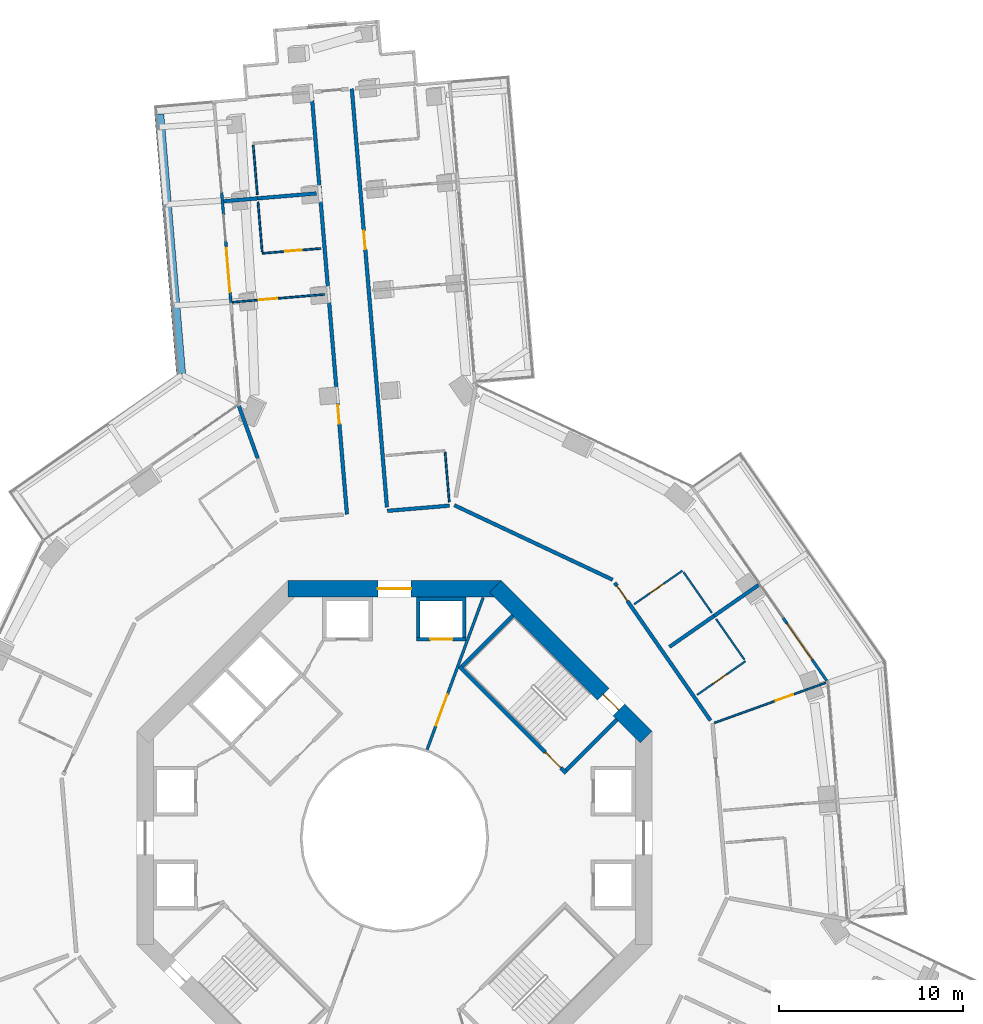
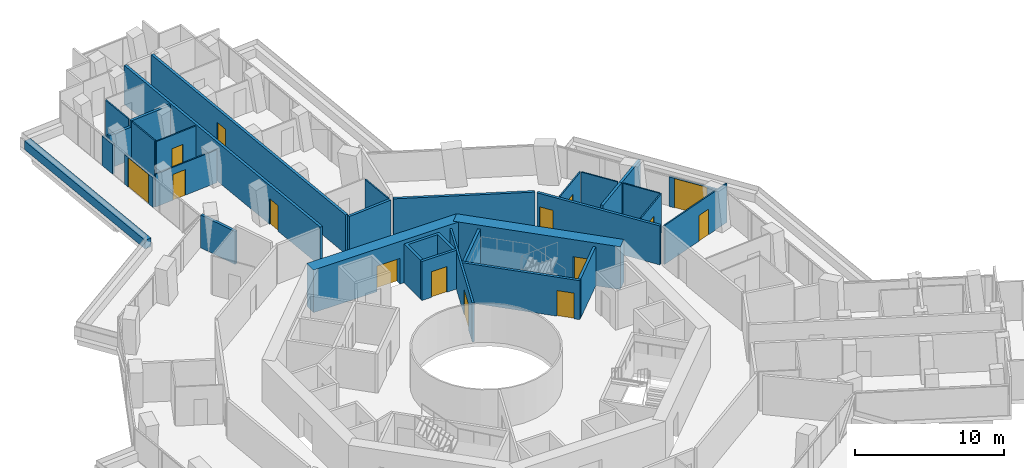
# One storey, part 22 of 26: 32 walls, 15 doors, 15 openings.
"""IFC4 building model written with IfcOpenShell, lengths in metres."""

from ifc_helpers import new_model, si_unit, direction, frame, frame_2d, origin, place, context, subcontext, project, spatial, polyline, rectangle, outline, extrude, material, layer, layer_set, type_object, element, fill, save


model = new_model("IFC4")

# Units and contexts
model_context = context("Model", 3, precision=1e-05, world=origin(), true_north=direction((0.0, 1.0)))
body_context = subcontext(model_context, "Body", "Model", "MODEL_VIEW")
ifc_project = project(units=[si_unit("LENGTHUNIT", "METRE"), si_unit("AREAUNIT", "SQUARE_METRE"), si_unit("VOLUMEUNIT", "CUBIC_METRE"), si_unit("PLANEANGLEUNIT", "RADIAN"), si_unit("MASSUNIT", "GRAM", prefix="KILO")], contexts=[model_context])

# Site, building, storey
site_placement = place(None, origin())
site = spatial("IfcSite", under=ifc_project, at=site_placement, CompositionType="ELEMENT")
building_placement = place(site_placement, origin())
building = spatial("IfcBuilding", under=site, at=building_placement, Name="Verdalira Terraces Hotel", CompositionType="ELEMENT")
storey_placement = place(building_placement, frame((0.0, 0.0, 53.0)))
storey = spatial("IfcBuildingStorey", under=building, at=storey_placement, Name="L11", CompositionType="ELEMENT", Elevation=53.0)

# Walls
ifc_material_1 = material(Name="Concrete C40", Category="concrete")
ifc_layer_1 = layer(ifc_material_1, 0.5)
ifc_layer_set_1 = layer_set([ifc_layer_1], Name="Balcony planter trough with tree")
wall_type_1 = type_object("IfcWallType", Name="Balcony planter trough with tree", PredefinedType="SOLIDWALL", material=ifc_layer_set_1)
wall_1_placement = place(storey_placement, frame((-12.78833, 39.358887, 0.0), z_axis=(0.0, 0.0, 1.0), x_axis=(0.083680733, -0.996492617, 0.0)))
element("IfcWall", 1, at=wall_1_placement, inside=storey, type_object=wall_type_1, Name="Balcony planter", PredefinedType="SOLIDWALL", context=body_context, shape_type="SweptSolid", body=[
    extrude(rectangle(XDim=14.185059, YDim=0.5, at=frame_2d((7.092529, 0.0))), origin(), (0.0, 0.0, 1.0), 0.699951),
])
ifc_material_2 = material(Name="Moisture-resistant gypsum board partition")
ifc_layer_2 = layer(ifc_material_2, 0.10009765625)
ifc_layer_set_2 = layer_set([ifc_layer_2], Name="Bathroom partition 100 mm")
wall_type_2 = type_object("IfcWallType", Name="Bathroom partition 100 mm", PredefinedType="PARTITIONING", material=ifc_layer_set_2)
for number, where, z_axis, x_axis, name in (
    (2, (-7.678955, 37.669678, 0.0), (0.0, 0.0, 1.0), (0.083636612, -0.996496321, 0.0), "Bathroom partition"),
    (3, (-7.419678, 34.580566, 0.0), (0.0, 0.0, 1.0), (0.083726396, -0.996488781, 0.0), "Bathroom partition"),
):
    element("IfcWall", number, at=place(storey_placement, frame(where, z_axis=z_axis, x_axis=x_axis)), inside=storey, type_object=wall_type_2, Name=name, PredefinedType="PARTITIONING", context=body_context, shape_type="SweptSolid", body=[
        extrude(rectangle(XDim=2.700195, YDim=0.100098, at=frame_2d((1.350098, 0.0))), origin(), (0.0, 0.0, 1.0), 3.189941),
    ])

# Wall, opening, door
wall_2_placement = place(storey_placement, frame((-7.185303, 31.790283, 0.0), z_axis=(0.0, 0.0, 1.0), x_axis=(0.99649135, 0.083695813, 0.0)))
wall_2 = element("IfcWall", 4, at=wall_2_placement, inside=storey, type_object=wall_type_2, Name="Bathroom partition", PredefinedType="PARTITIONING", context=body_context, shape_type="SweptSolid", body=[
    extrude(rectangle(XDim=3.199951, YDim=0.100098, at=frame_2d((1.600098, 0.0))), origin(), (0.0, 0.0, 1.0), 3.189941),
])
opening_1_placement = place(wall_2_placement, frame((1.25, 0.0, 0.0)))
opening_1 = element("IfcOpeningElement", 5, at=opening_1_placement, cuts=wall_2, Name="Opening L11-111", PredefinedType="OPENING", context=body_context, shape_type="SweptSolid", body=[
    extrude(rectangle(XDim=0.899902, YDim=2.100098, at=frame_2d((0.449951, 1.050049))), frame((0.0, 0.060059, 0.0), z_axis=(0.0, -1.0, 0.0), x_axis=(1.0, 0.0, 0.0)), (0.0, 0.0, 1.0), 0.120117),
])
ifc_material_3 = material(Name="Timber door", Category="wood")
door_type_1 = type_object("IfcDoorType", Name="Bathroom door 900 x 2100", OperationType="NOTDEFINED", PredefinedType="DOOR", material=ifc_material_3)
door_1_placement = place(opening_1_placement, origin())
door_1 = element("IfcDoor", 6, at=door_1_placement, inside=storey, type_object=door_type_1, Name="Bathroom door 1103", OperationType="SINGLE_SWING_LEFT", OverallHeight=2.10009765625, OverallWidth=0.89990234375, PredefinedType="DOOR", context=body_context, shape_type="SweptSolid", body=[
    extrude(rectangle(XDim=0.899902, YDim=2.100098, at=frame_2d((0.449951, 1.050049))), frame((0.0, 0.024902, 0.0), z_axis=(0.0, -1.0, 0.0), x_axis=(1.0, 0.0, 0.0)), (0.0, 0.0, 1.0), 0.050049),
])
fill(opening_1, door_1)

# Wall
wall_3_placement = place(storey_placement, frame((2.981445, 18.271973, 0.0), z_axis=(0.0, 0.0, 1.0), x_axis=(-0.083644148, 0.996495688, 0.0)))
element("IfcWall", 7, at=wall_3_placement, inside=storey, type_object=wall_type_2, Name="Bathroom partition", PredefinedType="PARTITIONING", context=body_context, shape_type="SweptSolid", body=[
    extrude(rectangle(XDim=2.699951, YDim=0.100098, at=frame_2d((1.350098, 0.0))), origin(), (0.0, 0.0, 1.0), 3.189941),
])

# Wall, opening, door
wall_4_placement = place(storey_placement, frame((15.662109, 14.538818, 0.0), z_axis=(0.0, 0.0, 1.0), x_axis=(-0.821155462, -0.570704572, 0.0)))
wall_4 = element("IfcWall", 8, at=wall_4_placement, inside=storey, type_object=wall_type_2, Name="Bathroom partition", PredefinedType="PARTITIONING", context=body_context, shape_type="SweptSolid", body=[
    extrude(rectangle(XDim=3.200195, YDim=0.100098, at=frame_2d((1.600098, 0.0))), origin(), (0.0, 0.0, 1.0), 3.189941),
])
opening_2_placement = place(wall_4_placement, frame((1.25, 0.0, 0.0)))
opening_2 = element("IfcOpeningElement", 9, at=opening_2_placement, cuts=wall_4, Name="Opening L11-138", PredefinedType="OPENING", context=body_context, shape_type="SweptSolid", body=[
    extrude(rectangle(XDim=0.899902, YDim=2.100098, at=frame_2d((0.449951, 1.050049))), frame((0.0, 0.060059, 0.0), z_axis=(0.0, -1.0, 0.0), x_axis=(1.0, 0.0, 0.0)), (0.0, 0.0, 1.0), 0.120117),
])
door_2_placement = place(opening_2_placement, origin())
door_2 = element("IfcDoor", 10, at=door_2_placement, inside=storey, type_object=door_type_1, Name="Bathroom door 1115", OperationType="SINGLE_SWING_LEFT", OverallHeight=2.10009765625, OverallWidth=0.89990234375, PredefinedType="DOOR", context=body_context, shape_type="SweptSolid", body=[
    extrude(rectangle(XDim=0.899902, YDim=2.100098, at=frame_2d((0.449951, 1.050049))), frame((0.0, 0.024902, 0.0), z_axis=(0.0, -1.0, 0.0), x_axis=(1.0, 0.0, 0.0)), (0.0, 0.0, 1.0), 0.050049),
])
fill(opening_2, door_2)

# Wall
wall_5_placement = place(storey_placement, frame((15.718994, 14.456787, 0.0), z_axis=(0.0, 0.0, 1.0), x_axis=(0.570704152, -0.821155753, 0.0)))
element("IfcWall", 11, at=wall_5_placement, inside=storey, type_object=wall_type_2, Name="Bathroom partition", PredefinedType="PARTITIONING", context=body_context, shape_type="SweptSolid", body=[
    extrude(rectangle(XDim=2.700195, YDim=0.100098, at=frame_2d((1.350098, 0.0))), origin(), (0.0, 0.0, 1.0), 3.189941),
])

# Wall, opening, door
wall_6_placement = place(storey_placement, frame((16.458496, 7.785645, 0.0), z_axis=(0.0, 0.0, 1.0), x_axis=(0.821166367, 0.570688881, 0.0)))
wall_6 = element("IfcWall", 12, at=wall_6_placement, inside=storey, type_object=wall_type_2, Name="Bathroom partition", PredefinedType="PARTITIONING", context=body_context, shape_type="SweptSolid", body=[
    extrude(rectangle(XDim=3.199951, YDim=0.100098, at=frame_2d((1.600098, 0.0))), origin(), (0.0, 0.0, 1.0), 3.189941),
])
opening_3_placement = place(wall_6_placement, frame((1.050049, 0.0, 0.0)))
opening_3 = element("IfcOpeningElement", 13, at=opening_3_placement, cuts=wall_6, Name="Opening L11-136", PredefinedType="OPENING", context=body_context, shape_type="SweptSolid", body=[
    extrude(rectangle(XDim=0.899902, YDim=2.100098, at=frame_2d((0.449951, 1.050049))), frame((0.0, 0.060059, 0.0), z_axis=(0.0, -1.0, 0.0), x_axis=(1.0, 0.0, 0.0)), (0.0, 0.0, 1.0), 0.120117),
])
door_3_placement = place(opening_3_placement, origin())
door_3 = element("IfcDoor", 14, at=door_3_placement, inside=storey, type_object=door_type_1, Name="Bathroom door 1114", OperationType="SINGLE_SWING_RIGHT", OverallHeight=2.10009765625, OverallWidth=0.89990234375, PredefinedType="DOOR", context=body_context, shape_type="SweptSolid", body=[
    extrude(rectangle(XDim=0.899902, YDim=2.100098, at=frame_2d((0.449951, 1.050049))), frame((0.0, 0.024902, 0.0), z_axis=(0.0, -1.0, 0.0), x_axis=(1.0, 0.0, 0.0)), (0.0, 0.0, 1.0), 0.050049),
])
fill(opening_3, door_3)

# Wall
wall_7_placement = place(storey_placement, frame((19.029297, 9.694092, 0.0), z_axis=(0.0, 0.0, 1.0), x_axis=(-0.570746527, 0.821126301, 0.0)))
element("IfcWall", 15, at=wall_7_placement, inside=storey, type_object=wall_type_2, Name="Bathroom partition", PredefinedType="PARTITIONING", context=body_context, shape_type="SweptSolid", body=[
    extrude(rectangle(XDim=2.699951, YDim=0.100098, at=frame_2d((1.350098, 0.0))), origin(), (0.0, 0.0, 1.0), 3.189941),
])

# Wall, opening, door
wall_8_placement = place(storey_placement, frame((17.395264, 6.262695, 0.0), z_axis=(0.0, 0.0, 1.0), x_axis=(0.940881645, 0.338735488, 0.0)))
wall_8 = element("IfcWall", 16, at=wall_8_placement, inside=storey, type_object=wall_type_2, Name="Bathroom partition", PredefinedType="PARTITIONING", context=body_context, shape_type="SweptSolid", body=[
    extrude(rectangle(XDim=6.47583, YDim=0.100098, at=frame_2d((3.237793, 0.0))), origin(), (0.0, 0.0, 1.0), 3.189941),
])
opening_4_placement = place(wall_8_placement, frame((3.550049, 0.0, 0.0)))
opening_4 = element("IfcOpeningElement", 17, at=opening_4_placement, cuts=wall_8, Name="Opening L11-134", PredefinedType="OPENING", context=body_context, shape_type="SweptSolid", body=[
    extrude(rectangle(XDim=1.0, YDim=2.100098, at=frame_2d((0.5, 1.050049))), frame((0.0, 0.060059, 0.0), z_axis=(0.0, -1.0, 0.0), x_axis=(1.0, 0.0, 0.0)), (0.0, 0.0, 1.0), 0.120117),
])
ifc_material_4 = material(Name="Timber door", Category="wood")
door_type_2 = type_object("IfcDoorType", Name="Suite internal door 1000 x 2100", OperationType="NOTDEFINED", PredefinedType="DOOR", material=ifc_material_4)
door_4_placement = place(opening_4_placement, origin())
door_4 = element("IfcDoor", 18, at=door_4_placement, inside=storey, type_object=door_type_2, Name="Suite internal door 1114", OperationType="SINGLE_SWING_LEFT", OverallHeight=2.10009765625, OverallWidth=1.0, PredefinedType="DOOR", context=body_context, shape_type="SweptSolid", body=[
    extrude(rectangle(XDim=1.0, YDim=2.100098, at=frame_2d((0.5, 1.050049))), frame((0.0, 0.024902, 0.0), z_axis=(0.0, -1.0, 0.0), x_axis=(1.0, 0.0, 0.0)), (0.0, 0.0, 1.0), 0.050049),
])
fill(opening_4, door_4)

ifc_material_5 = material(Name="Moisture-resistant gypsum board partition")
ifc_layer_3 = layer(ifc_material_5, 0.10009765625)
ifc_layer_set_3 = layer_set([ifc_layer_3], Name="Bathroom partition 100 mm to beam soffit")
wall_type_3 = type_object("IfcWallType", Name="Bathroom partition 100 mm to beam soffit", PredefinedType="PARTITIONING", material=ifc_layer_set_3)
wall_9_placement = place(storey_placement, frame((-8.818848, 29.133545, 0.0), z_axis=(0.0, 0.0, 1.0), x_axis=(0.996496237, 0.083637613, 0.0)))
wall_9 = element("IfcWall", 19, at=wall_9_placement, inside=storey, type_object=wall_type_3, Name="Bathroom partition", PredefinedType="PARTITIONING", context=body_context, shape_type="SweptSolid", body=[
    extrude(rectangle(XDim=5.049805, YDim=0.100098, at=frame_2d((2.524902, 0.0))), origin(), (0.0, 0.0, 1.0), 2.689941),
])
opening_5_placement = place(wall_9_placement, frame((1.449951, 0.0, 0.0)))
opening_5 = element("IfcOpeningElement", 20, at=opening_5_placement, cuts=wall_9, Name="Opening L11-110", PredefinedType="OPENING", context=body_context, shape_type="SweptSolid", body=[
    extrude(rectangle(XDim=1.0, YDim=2.100098, at=frame_2d((0.5, 1.050049))), frame((0.0, 0.060059, 0.0), z_axis=(0.0, -1.0, 0.0), x_axis=(1.0, 0.0, 0.0)), (0.0, 0.0, 1.0), 0.120117),
])
door_5_placement = place(opening_5_placement, origin())
door_5 = element("IfcDoor", 21, at=door_5_placement, inside=storey, type_object=door_type_2, Name="Suite internal door 1103", OperationType="SINGLE_SWING_LEFT", OverallHeight=2.10009765625, OverallWidth=1.0, PredefinedType="DOOR", context=body_context, shape_type="SweptSolid", body=[
    extrude(rectangle(XDim=1.0, YDim=2.100098, at=frame_2d((0.5, 1.050049))), frame((0.0, 0.024902, 0.0), z_axis=(0.0, -1.0, 0.0), x_axis=(1.0, 0.0, 0.0)), (0.0, 0.0, 1.0), 0.050049),
])
fill(opening_5, door_5)

# Wall
ifc_material_6 = material(Name="Concrete C50", Category="concrete")
ifc_layer_4 = layer(ifc_material_6, 0.199951171875)
ifc_layer_set_4 = layer_set([ifc_layer_4], Name="Core RC wall 200 C50")
wall_type_4 = type_object("IfcWallType", Name="Core RC wall 200 C50", PredefinedType="SOLIDWALL", material=ifc_layer_set_4)
wall_10_placement = place(storey_placement, origin())
element("IfcWall", 22, at=wall_10_placement, inside=storey, type_object=wall_type_4, Name="L11 shaft wall N1", PredefinedType="SOLIDWALL", context=body_context, shape_type="SweptSolid", body=[
    extrude(outline(polyline([(3.899902, 13.100098), (3.899902, 10.899902), (3.699951, 10.899902), (3.699951, 12.899902), (1.399902, 12.899902), (1.399902, 10.899902), (1.199951, 10.899902), (1.199951, 13.100098), (3.899902, 13.100098)])), origin(), (0.0, 0.0, 1.0), 3.189941),
])

# Wall, opening, door
wall_11_placement = place(storey_placement, frame((1.199951, 10.800049, 0.0), z_axis=(0.0, 0.0, 1.0), x_axis=(1.0, 0.0, 0.0)))
wall_11 = element("IfcWall", 23, at=wall_11_placement, inside=storey, type_object=wall_type_4, Name="L11 shaft front wall N1", PredefinedType="SOLIDWALL", context=body_context, shape_type="SweptSolid", body=[
    extrude(rectangle(XDim=2.699951, YDim=0.199951, at=frame_2d((1.350098, 0.0))), origin(), (0.0, 0.0, 1.0), 3.189941),
])
opening_6_placement = place(wall_11_placement, frame((0.75, 0.0, 0.0)))
opening_6 = element("IfcOpeningElement", 24, at=opening_6_placement, cuts=wall_11, Name="Opening LD-L11-803", PredefinedType="OPENING", context=body_context, shape_type="SweptSolid", body=[
    extrude(rectangle(XDim=1.199951, YDim=2.100098, at=frame_2d((0.600098, 1.050049))), frame((0.0, 0.109863, 0.0), z_axis=(0.0, -1.0, 0.0), x_axis=(1.0, 0.0, 0.0)), (0.0, 0.0, 1.0), 0.219971),
])
ifc_material_7 = material(Name="Stainless steel", Category="steel")
door_type_3 = type_object("IfcDoorType", Name="Landing door 1200 x 2100", OperationType="NOTDEFINED", PredefinedType="DOOR", material=ifc_material_7)
door_6_placement = place(opening_6_placement, origin())
door_6 = element("IfcDoor", 25, at=door_6_placement, inside=storey, type_object=door_type_3, Name="Lift landing door LR3 L11", OperationType="DOUBLE_DOOR_SLIDING", OverallHeight=2.10009765625, OverallWidth=1.199951171875, PredefinedType="DOOR", context=body_context, shape_type="SweptSolid", body=[
    extrude(rectangle(XDim=1.199951, YDim=2.100098, at=frame_2d((0.600098, 1.050049))), frame((0.0, 0.024902, 0.0), z_axis=(0.0, -1.0, 0.0), x_axis=(1.0, 0.0, 0.0)), (0.0, 0.0, 1.0), 0.050049),
])
fill(opening_6, door_6)

wall_12_placement = place(storey_placement, frame((3.5354, 9.33374, 0.0), z_axis=(0.0, 0.0, 1.0), x_axis=(0.707106781, -0.707106781, 0.0)))
wall_12 = element("IfcWall", 26, at=wall_12_placement, inside=storey, type_object=wall_type_4, Name="L11 stair ST1 front wall", PredefinedType="SOLIDWALL", context=body_context, shape_type="SweptSolid", body=[
    extrude(rectangle(XDim=8.200195, YDim=0.199951, at=frame_2d((4.100098, 0.0))), origin(), (0.0, 0.0, 1.0), 3.189941),
])
opening_7_placement = place(wall_12_placement, frame((6.600098, 0.0, 0.0)))
opening_7 = element("IfcOpeningElement", 27, at=opening_7_placement, cuts=wall_12, Name="Opening L11-809", PredefinedType="OPENING", context=body_context, shape_type="SweptSolid", body=[
    extrude(rectangle(XDim=1.199951, YDim=2.100098, at=frame_2d((0.600098, 1.050049))), frame((0.0, 0.109863, 0.0), z_axis=(0.0, -1.0, 0.0), x_axis=(1.0, 0.0, 0.0)), (0.0, 0.0, 1.0), 0.219971),
])
ifc_material_8 = material(Name="Steel fire door", Category="steel")
door_type_4 = type_object("IfcDoorType", Name="Stair door 1200 x 2100", OperationType="NOTDEFINED", PredefinedType="DOOR", material=ifc_material_8)
door_7_placement = place(opening_7_placement, origin())
door_7 = element("IfcDoor", 28, at=door_7_placement, inside=storey, type_object=door_type_4, Name="Stair door ST1 L11", OperationType="SINGLE_SWING_RIGHT", OverallHeight=2.10009765625, OverallWidth=1.199951171875, PredefinedType="DOOR", context=body_context, shape_type="SweptSolid", body=[
    extrude(rectangle(XDim=1.199951, YDim=2.100098, at=frame_2d((0.600098, 1.050049))), frame((0.0, 0.024902, 0.0), z_axis=(0.0, -1.0, 0.0), x_axis=(1.0, 0.0, 0.0)), (0.0, 0.0, 1.0), 0.050049),
])
fill(opening_7, door_7)

# Walls
for number, where, z_axis, x_axis, name in (
    (29, (9.33374, 3.677002, 0.0), (0.0, 0.0, 1.0), (0.707106781, 0.707106781, 0.0), "L11 stair ST1 end wall 1"),
    (30, (3.677002, 9.33374, 0.0), (0.0, 0.0, 1.0), (0.707106781, 0.707106781, 0.0), "L11 stair ST1 end wall 2"),
):
    element("IfcWall", number, at=place(storey_placement, frame(where, z_axis=z_axis, x_axis=x_axis)), inside=storey, type_object=wall_type_4, Name=name, PredefinedType="SOLIDWALL", context=body_context, shape_type="SweptSolid", body=[
        extrude(rectangle(XDim=3.900146, YDim=0.199951, at=frame_2d((1.950195, 0.0))), origin(), (0.0, 0.0, 1.0), 3.189941),
    ])

# Wall, opening, door
ifc_material_9 = material(Name="Gypsum board partition")
ifc_layer_5 = layer(ifc_material_9, 0.14990234375)
ifc_layer_set_5 = layer_set([ifc_layer_5], Name="Core partition 150 mm")
wall_type_5 = type_object("IfcWallType", Name="Core partition 150 mm", PredefinedType="PARTITIONING", material=ifc_layer_set_5)
wall_13_placement = place(storey_placement, frame((1.775635, 4.812988, 0.0), z_axis=(0.0, 0.0, 1.0), x_axis=(0.346112737, 0.93819293, 0.0)))
wall_13 = element("IfcWall", 31, at=wall_13_placement, inside=storey, type_object=wall_type_5, Name="Gallery fire partition L11", PredefinedType="PARTITIONING", context=body_context, shape_type="SweptSolid", body=[
    extrude(rectangle(XDim=8.803223, YDim=0.149902, at=frame_2d((4.401611, 0.0))), origin(), (0.0, 0.0, 1.0), 3.189941),
])
opening_8_placement = place(wall_13_placement, frame((1.399902, 0.0, 0.0)))
opening_8 = element("IfcOpeningElement", 32, at=opening_8_placement, cuts=wall_13, Name="Opening L11-824", PredefinedType="OPENING", context=body_context, shape_type="SweptSolid", body=[
    extrude(rectangle(XDim=1.800049, YDim=2.100098, at=frame_2d((0.899902, 1.050049))), frame((0.0, 0.084961, 0.0), z_axis=(0.0, -1.0, 0.0), x_axis=(1.0, 0.0, 0.0)), (0.0, 0.0, 1.0), 0.169922),
])
ifc_material_10 = material(Name="Steel fire door", Category="steel")
door_type_5 = type_object("IfcDoorType", Name="Gallery fire door pair 1800 x 2100", OperationType="NOTDEFINED", PredefinedType="DOOR", material=ifc_material_10)
door_8_placement = place(opening_8_placement, origin())
door_8 = element("IfcDoor", 33, at=door_8_placement, inside=storey, type_object=door_type_5, Name="Door L11 split1", OperationType="DOUBLE_DOOR_SINGLE_SWING", OverallHeight=2.10009765625, OverallWidth=1.800048828125, PredefinedType="DOOR", context=body_context, shape_type="SweptSolid", body=[
    extrude(rectangle(XDim=1.800049, YDim=2.100098, at=frame_2d((0.899902, 1.050049))), frame((0.0, 0.024902, 0.0), z_axis=(0.0, -1.0, 0.0), x_axis=(1.0, 0.0, 0.0)), (0.0, 0.0, 1.0), 0.050049),
])
fill(opening_8, door_8)

ifc_material_11 = material(Name="Concrete C70", Category="concrete")
ifc_layer_6 = layer(ifc_material_11, 0.89990234375)
ifc_layer_set_6 = layer_set([ifc_layer_6], Name="Core wall 900 C70")
wall_type_6 = type_object("IfcWallType", Name="Core wall 900 C70", PredefinedType="SHEAR", material=ifc_layer_set_6)
wall_14_placement = place(storey_placement, frame((13.681885, 5.480713, 0.0), z_axis=(0.0, 0.0, 1.0), x_axis=(-0.707106781, 0.707106781, 0.0)))
wall_14 = element("IfcWall", 34, at=wall_14_placement, inside=storey, type_object=wall_type_6, Name="Core wall CW-L11-2", PredefinedType="SHEAR", context=body_context, shape_type="SweptSolid", body=[
    extrude(rectangle(XDim=11.598145, YDim=0.899902, at=frame_2d((5.799072, 0.0))), origin(), (0.0, 0.0, 1.0), 3.5),
])
opening_9_placement = place(wall_14_placement, frame((2.099121, 0.0, 0.0)))
opening_9 = element("IfcOpeningElement", 35, at=opening_9_placement, cuts=wall_14, Name="Opening L11-816", PredefinedType="OPENING", context=body_context, shape_type="SweptSolid", body=[
    extrude(rectangle(XDim=1.199951, YDim=2.100098, at=frame_2d((0.600098, 1.050049))), frame((0.0, 0.459961, 0.0), z_axis=(0.0, -1.0, 0.0), x_axis=(1.0, 0.0, 0.0)), (0.0, 0.0, 1.0), 0.919922),
])
door_9_placement = place(opening_9_placement, origin())
door_9 = element("IfcDoor", 36, at=door_9_placement, inside=storey, type_object=door_type_4, Name="Stair exit door ST1 L11", OperationType="SINGLE_SWING_LEFT", OverallHeight=2.10009765625, OverallWidth=1.199951171875, PredefinedType="DOOR", context=body_context, shape_type="SweptSolid", body=[
    extrude(rectangle(XDim=1.199951, YDim=2.100098, at=frame_2d((0.600098, 1.050049))), frame((0.0, 0.024902, 0.0), z_axis=(0.0, -1.0, 0.0), x_axis=(1.0, 0.0, 0.0)), (0.0, 0.0, 1.0), 0.050049),
])
fill(opening_9, door_9)

wall_15_placement = place(storey_placement, frame((5.799072, 13.550049, 0.0), z_axis=(0.0, 0.0, 1.0), x_axis=(-1.0, 0.0, 0.0)))
wall_15 = element("IfcWall", 37, at=wall_15_placement, inside=storey, type_object=wall_type_6, Name="Core wall CW-L11-3", PredefinedType="SHEAR", context=body_context, shape_type="SweptSolid", body=[
    extrude(rectangle(XDim=11.598145, YDim=0.899902, at=frame_2d((5.799072, 0.0))), origin(), (0.0, 0.0, 1.0), 3.5),
])
opening_10_placement = place(wall_15_placement, frame((4.898926, 0.0, 0.0)))
opening_10 = element("IfcOpeningElement", 38, at=opening_10_placement, cuts=wall_15, Name="Opening L11-813", PredefinedType="OPENING", context=body_context, shape_type="SweptSolid", body=[
    extrude(rectangle(XDim=1.800049, YDim=2.100098, at=frame_2d((0.899902, 1.050049))), frame((0.0, 0.459961, 0.0), z_axis=(0.0, -1.0, 0.0), x_axis=(1.0, 0.0, 0.0)), (0.0, 0.0, 1.0), 0.919922),
])
ifc_material_12 = material(Name="Steel fire door", Category="steel")
door_type_6 = type_object("IfcDoorType", Name="Core entry door pair 1800 x 2100", OperationType="NOTDEFINED", PredefinedType="DOOR", material=ifc_material_12)
door_10_placement = place(opening_10_placement, origin())
door_10 = element("IfcDoor", 39, at=door_10_placement, inside=storey, type_object=door_type_6, Name="Core entry door L11 2", OperationType="DOUBLE_DOOR_SINGLE_SWING", OverallHeight=2.10009765625, OverallWidth=1.800048828125, PredefinedType="DOOR", context=body_context, shape_type="SweptSolid", body=[
    extrude(rectangle(XDim=1.800049, YDim=2.100098, at=frame_2d((0.899902, 1.050049))), frame((0.0, 0.024902, 0.0), z_axis=(0.0, -1.0, 0.0), x_axis=(1.0, 0.0, 0.0)), (0.0, 0.0, 1.0), 0.050049),
])
fill(opening_10, door_10)

# Walls
ifc_material_13 = material(Name="Fire-rated gypsum board wall")
ifc_layer_7 = layer(ifc_material_13, 0.199951171875)
ifc_layer_set_7 = layer_set([ifc_layer_7], Name="Demising wall 200 mm")
wall_type_7 = type_object("IfcWallType", Name="Demising wall 200 mm", PredefinedType="SOLIDWALL", material=ifc_layer_set_7)
wall_16_placement = place(storey_placement, frame((-4.247559, 35.047607, 0.0), z_axis=(0.0, 0.0, 1.0), x_axis=(-0.99649135, -0.083695813, 0.0)))
element("IfcWall", 40, at=wall_16_placement, inside=storey, type_object=wall_type_7, Name="Demising wall", PredefinedType="SOLIDWALL", context=body_context, shape_type="SweptSolid", body=[
    extrude(rectangle(XDim=3.199951, YDim=0.199951, at=frame_2d((1.600098, 0.0))), origin(), (0.0, 0.0, 1.0), 3.189941),
])
wall_17_placement = place(storey_placement, frame((14.949463, 10.390137, 0.0), z_axis=(0.0, 0.0, 1.0), x_axis=(0.82115792, 0.570701034, 0.0)))
element("IfcWall", 41, at=wall_17_placement, inside=storey, type_object=wall_type_7, Name="Demising wall", PredefinedType="SOLIDWALL", context=body_context, shape_type="SweptSolid", body=[
    extrude(rectangle(XDim=2.952637, YDim=0.199951, at=frame_2d((1.476318, 0.0))), origin(), (0.0, 0.0, 1.0), 3.189941),
])
wall_18_placement = place(storey_placement, frame((17.374023, 12.075195, 0.0), z_axis=(0.0, 0.0, 1.0), x_axis=(0.821109247, 0.570771062, 0.0)))
element("IfcWall", 42, at=wall_18_placement, inside=storey, type_object=wall_type_7, Name="Demising wall", PredefinedType="SOLIDWALL", context=body_context, shape_type="SweptSolid", body=[
    extrude(rectangle(XDim=2.950195, YDim=0.199951, at=frame_2d((1.475098, 0.0))), origin(), (0.0, 0.0, 1.0), 3.189941),
])
ifc_material_14 = material(Name="Fire-rated gypsum board wall")
ifc_layer_8 = layer(ifc_material_14, 0.199951171875)
ifc_layer_set_8 = layer_set([ifc_layer_8], Name="Demising wall 200 mm to beam soffit")
wall_type_8 = type_object("IfcWallType", Name="Demising wall 200 mm to beam soffit", PredefinedType="SOLIDWALL", material=ifc_layer_set_8)
wall_19_placement = place(storey_placement, frame((-7.436279, 34.779785, 0.0), z_axis=(0.0, 0.0, 1.0), x_axis=(-0.996493687, -0.083667991, 0.0)))
element("IfcWall", 43, at=wall_19_placement, inside=storey, type_object=wall_type_8, Name="Demising wall", PredefinedType="SOLIDWALL", context=body_context, shape_type="SweptSolid", body=[
    extrude(rectangle(XDim=1.850098, YDim=0.199951, at=frame_2d((0.925049, 0.0))), origin(), (0.0, 0.0, 1.0), 2.689941),
])
wall_20_placement = place(storey_placement, frame((-7.436279, 20.654785, 0.0), z_axis=(0.0, 0.0, 1.0), x_axis=(-0.338707985, 0.940891546, 0.0)))
element("IfcWall", 44, at=wall_20_placement, inside=storey, type_object=wall_type_8, Name="Demising wall", PredefinedType="SOLIDWALL", context=body_context, shape_type="SweptSolid", body=[
    extrude(rectangle(XDim=3.011475, YDim=0.199951, at=frame_2d((1.505859, 0.0))), origin(), (0.0, 0.0, 1.0), 2.689941),
])

# Wall, opening, door
ifc_material_15 = material(Name="Fire-rated gypsum board wall")
ifc_layer_9 = layer(ifc_material_15, 0.199951171875)
ifc_layer_set_9 = layer_set([ifc_layer_9], Name="Guest corridor wall 200 mm")
wall_type_9 = type_object("IfcWallType", Name="Guest corridor wall 200 mm", PredefinedType="SOLIDWALL", material=ifc_layer_set_9)
wall_21_placement = place(storey_placement, frame((-2.582031, 17.604004, 0.0), z_axis=(0.0, 0.0, 1.0), x_axis=(-0.083684956, 0.996492262, 0.0)))
wall_21 = element("IfcWall", 45, at=wall_21_placement, inside=storey, type_object=wall_type_9, Name="Guest corridor wall", PredefinedType="SOLIDWALL", context=body_context, shape_type="SweptSolid", body=[
    extrude(rectangle(XDim=23.032715, YDim=0.199951, at=frame_2d((11.516357, 0.0))), origin(), (0.0, 0.0, 1.0), 3.189941),
])
opening_11_placement = place(wall_21_placement, frame((4.949951, 0.0, 0.0)))
opening_11 = element("IfcOpeningElement", 46, at=opening_11_placement, cuts=wall_21, Name="Opening L11-109", PredefinedType="OPENING", context=body_context, shape_type="SweptSolid", body=[
    extrude(rectangle(XDim=1.0, YDim=2.100098, at=frame_2d((0.5, 1.050049))), frame((0.0, 0.109863, 0.0), z_axis=(0.0, -1.0, 0.0), x_axis=(1.0, 0.0, 0.0)), (0.0, 0.0, 1.0), 0.219971),
])
ifc_material_16 = material(Name="Timber fire door", Category="wood")
door_type_7 = type_object("IfcDoorType", Name="Guest entry door 1000 x 2100", OperationType="NOTDEFINED", PredefinedType="DOOR", material=ifc_material_16)
door_11_placement = place(opening_11_placement, origin())
door_11 = element("IfcDoor", 47, at=door_11_placement, inside=storey, type_object=door_type_7, Name="Guest entry door 1103", OperationType="SINGLE_SWING_LEFT", OverallHeight=2.10009765625, OverallWidth=1.0, PredefinedType="DOOR", context=body_context, shape_type="SweptSolid", body=[
    extrude(rectangle(XDim=1.0, YDim=2.100098, at=frame_2d((0.5, 1.050049))), frame((0.0, 0.024902, 0.0), z_axis=(0.0, -1.0, 0.0), x_axis=(1.0, 0.0, 0.0)), (0.0, 0.0, 1.0), 0.050049),
])
fill(opening_11, door_11)

wall_22_placement = place(storey_placement, frame((-2.317139, 40.73999, 0.0), z_axis=(0.0, 0.0, 1.0), x_axis=(0.083679937, -0.996492683, 0.0)))
wall_22 = element("IfcWall", 48, at=wall_22_placement, inside=storey, type_object=wall_type_9, Name="Guest corridor wall", PredefinedType="SOLIDWALL", context=body_context, shape_type="SweptSolid", body=[
    extrude(rectangle(XDim=22.832764, YDim=0.199951, at=frame_2d((11.416504, 0.0))), origin(), (0.0, 0.0, 1.0), 3.189941),
])
opening_12_placement = place(wall_22_placement, frame((7.760986, 0.0, 0.0)))
opening_12 = element("IfcOpeningElement", 49, at=opening_12_placement, cuts=wall_22, Name="Opening L11-101", PredefinedType="OPENING", context=body_context, shape_type="SweptSolid", body=[
    extrude(rectangle(XDim=1.0, YDim=2.100098, at=frame_2d((0.5, 1.050049))), frame((0.0, 0.109863, 0.0), z_axis=(0.0, -1.0, 0.0), x_axis=(1.0, 0.0, 0.0)), (0.0, 0.0, 1.0), 0.219971),
])
door_12_placement = place(opening_12_placement, origin())
door_12 = element("IfcDoor", 50, at=door_12_placement, inside=storey, type_object=door_type_7, Name="Guest entry door 1101", OperationType="SINGLE_SWING_LEFT", OverallHeight=2.10009765625, OverallWidth=1.0, PredefinedType="DOOR", context=body_context, shape_type="SweptSolid", body=[
    extrude(rectangle(XDim=1.0, YDim=2.100098, at=frame_2d((0.5, 1.050049))), frame((0.0, 0.024902, 0.0), z_axis=(0.0, -1.0, 0.0), x_axis=(1.0, 0.0, 0.0)), (0.0, 0.0, 1.0), 0.050049),
])
fill(opening_12, door_12)

# Walls
wall_23_placement = place(storey_placement, frame((2.998291, 18.07251, 0.0), z_axis=(0.0, 0.0, 1.0), x_axis=(-0.996495064, -0.083651589, 0.0)))
element("IfcWall", 51, at=wall_23_placement, inside=storey, type_object=wall_type_9, Name="Guest corridor wall", PredefinedType="SOLIDWALL", context=body_context, shape_type="SweptSolid", body=[
    extrude(rectangle(XDim=3.400146, YDim=0.199951, at=frame_2d((1.700195, 0.0))), origin(), (0.0, 0.0, 1.0), 3.189941),
])
wall_24_placement = place(storey_placement, frame((11.866211, 14.04248, 0.0), z_axis=(0.0, 0.0, 1.0), x_axis=(-0.90483033, 0.425772326, 0.0)))
element("IfcWall", 52, at=wall_24_placement, inside=storey, type_object=wall_type_9, Name="Guest corridor wall", PredefinedType="SOLIDWALL", context=body_context, shape_type="SweptSolid", body=[
    extrude(rectangle(XDim=9.516357, YDim=0.199951, at=frame_2d((4.758301, 0.0))), origin(), (0.0, 0.0, 1.0), 3.189941),
])

# Wall, opening, door
wall_25_placement = place(storey_placement, frame((11.980957, 13.877441, 0.0), z_axis=(0.0, 0.0, 1.0), x_axis=(0.570714468, -0.821148583, 0.0)))
wall_25 = element("IfcWall", 53, at=wall_25_placement, inside=storey, type_object=wall_type_9, Name="Guest corridor wall", PredefinedType="SOLIDWALL", context=body_context, shape_type="SweptSolid", body=[
    extrude(rectangle(XDim=9.115967, YDim=0.199951, at=frame_2d((4.558105, 0.0))), origin(), (0.0, 0.0, 1.0), 3.189941),
])
opening_13_placement = place(wall_25_placement, frame((0.199951, 0.0, 0.0)))
opening_13 = element("IfcOpeningElement", 54, at=opening_13_placement, cuts=wall_25, Name="Opening L11-137", PredefinedType="OPENING", context=body_context, shape_type="SweptSolid", body=[
    extrude(rectangle(XDim=1.0, YDim=2.100098, at=frame_2d((0.5, 1.050049))), frame((0.0, 0.109863, 0.0), z_axis=(0.0, -1.0, 0.0), x_axis=(1.0, 0.0, 0.0)), (0.0, 0.0, 1.0), 0.219971),
])
door_13_placement = place(opening_13_placement, origin())
door_13 = element("IfcDoor", 55, at=door_13_placement, inside=storey, type_object=door_type_7, Name="Guest entry door 1115", OperationType="SINGLE_SWING_LEFT", OverallHeight=2.10009765625, OverallWidth=1.0, PredefinedType="DOOR", context=body_context, shape_type="SweptSolid", body=[
    extrude(rectangle(XDim=1.0, YDim=2.100098, at=frame_2d((0.5, 1.050049))), frame((0.0, 0.024902, 0.0), z_axis=(0.0, -1.0, 0.0), x_axis=(1.0, 0.0, 0.0)), (0.0, 0.0, 1.0), 0.050049),
])
fill(opening_13, door_13)

# Wall
ifc_material_17 = material(Name="Terracotta cladding", Category="masonry")
ifc_layer_10 = layer(ifc_material_17, 0.14990234375)
ifc_layer_set_10 = layer_set([ifc_layer_10], Name="Terracotta column pier 150")
wall_type_10 = type_object("IfcWallType", Name="Terracotta column pier 150", PredefinedType="SOLIDWALL", material=ifc_layer_set_10)
wall_26_placement = place(storey_placement, frame((-9.396484, 35.116943, 0.0), z_axis=(0.0, 0.0, 1.0), x_axis=(0.083776122, -0.996484602, 0.0)))
element("IfcWall", 56, at=wall_26_placement, inside=storey, type_object=wall_type_10, Name="Terracotta column pier", PredefinedType="SOLIDWALL", context=body_context, shape_type="SweptSolid", body=[
    extrude(rectangle(XDim=1.244385, YDim=0.149902, at=frame_2d((0.62207, 0.0))), origin(), (0.0, 0.0, 1.0), 2.425049),
])

# Wall, opening, door
ifc_material_18 = material(Name="Terracotta cladding", Category="masonry")
ifc_layer_11 = layer(ifc_material_18, 0.14990234375)
ifc_layer_set_11 = layer_set([ifc_layer_11], Name="Terracotta door pier 150")
wall_type_11 = type_object("IfcWallType", Name="Terracotta door pier 150", PredefinedType="SOLIDWALL", material=ifc_layer_set_11)
wall_27_placement = place(storey_placement, frame((-9.173828, 32.465332, 0.0), z_axis=(0.0, 0.0, 1.0), x_axis=(0.083666706, -0.996493794, 0.0)))
wall_27 = element("IfcWall", 57, at=wall_27_placement, inside=storey, type_object=wall_type_11, Name="Terracotta door pier", PredefinedType="SOLIDWALL", context=body_context, shape_type="SweptSolid", body=[
    extrude(rectangle(XDim=3.349854, YDim=0.149902, at=frame_2d((1.674805, 0.0))), origin(), (0.0, 0.0, 1.0), 2.425049),
])
opening_14_placement = place(wall_27_placement, frame((0.399902, 0.0, 0.0)))
opening_14 = element("IfcOpeningElement", 58, at=opening_14_placement, cuts=wall_27, Name="Opening L11-B05", PredefinedType="OPENING", context=body_context, shape_type="SweptSolid", body=[
    extrude(rectangle(XDim=2.399902, YDim=2.399902, at=frame_2d((1.199951, 1.199951))), frame((0.0, 0.084961, 0.0), z_axis=(0.0, -1.0, 0.0), x_axis=(1.0, 0.0, 0.0)), (0.0, 0.0, 1.0), 0.169922),
])
ifc_material_19 = material(Name="Clear glass", Category="glass")
door_type_8 = type_object("IfcDoorType", Name="Balcony sliding door 2400x2400", OperationType="NOTDEFINED", PredefinedType="DOOR", material=ifc_material_19)
door_14_placement = place(opening_14_placement, origin())
door_14 = element("IfcDoor", 59, at=door_14_placement, inside=storey, type_object=door_type_8, Name="Balcony sliding door", OperationType="SLIDING_TO_RIGHT", OverallHeight=2.39990234375, OverallWidth=2.39990234375, PredefinedType="DOOR", context=body_context, shape_type="SweptSolid", body=[
    extrude(rectangle(XDim=2.399902, YDim=2.399902, at=frame_2d((1.199951, 1.199951))), frame((0.0, 0.024902, 0.0), z_axis=(0.0, -1.0, 0.0), x_axis=(1.0, 0.0, 0.0)), (0.0, 0.0, 1.0), 0.050049),
])
fill(opening_14, door_14)

wall_28_placement = place(storey_placement, frame((23.510498, 8.546631, 0.0), z_axis=(0.0, 0.0, 1.0), x_axis=(-0.570711776, 0.821150454, 0.0)))
wall_28 = element("IfcWall", 60, at=wall_28_placement, inside=storey, type_object=wall_type_11, Name="Terracotta door pier", PredefinedType="SOLIDWALL", context=body_context, shape_type="SweptSolid", body=[
    extrude(rectangle(XDim=4.19873, YDim=0.149902, at=frame_2d((2.099365, 0.0))), origin(), (0.0, 0.0, 1.0), 2.425049),
])
opening_15_placement = place(wall_28_placement, frame((1.398682, 0.0, 0.0)))
opening_15 = element("IfcOpeningElement", 61, at=opening_15_placement, cuts=wall_28, Name="Opening L11-B17", PredefinedType="OPENING", context=body_context, shape_type="SweptSolid", body=[
    extrude(rectangle(XDim=2.399902, YDim=2.399902, at=frame_2d((1.199951, 1.199951))), frame((0.0, 0.084961, 0.0), z_axis=(0.0, -1.0, 0.0), x_axis=(1.0, 0.0, 0.0)), (0.0, 0.0, 1.0), 0.169922),
])
door_15_placement = place(opening_15_placement, origin())
door_15 = element("IfcDoor", 62, at=door_15_placement, inside=storey, type_object=door_type_8, Name="Balcony sliding door", OperationType="SLIDING_TO_LEFT", OverallHeight=2.39990234375, OverallWidth=2.39990234375, PredefinedType="DOOR", context=body_context, shape_type="SweptSolid", body=[
    extrude(rectangle(XDim=2.399902, YDim=2.399902, at=frame_2d((1.199951, 1.199951))), frame((0.0, 0.024902, 0.0), z_axis=(0.0, -1.0, 0.0), x_axis=(1.0, 0.0, 0.0)), (0.0, 0.0, 1.0), 0.050049),
])
fill(opening_15, door_15)

save(model, "model.ifc")
